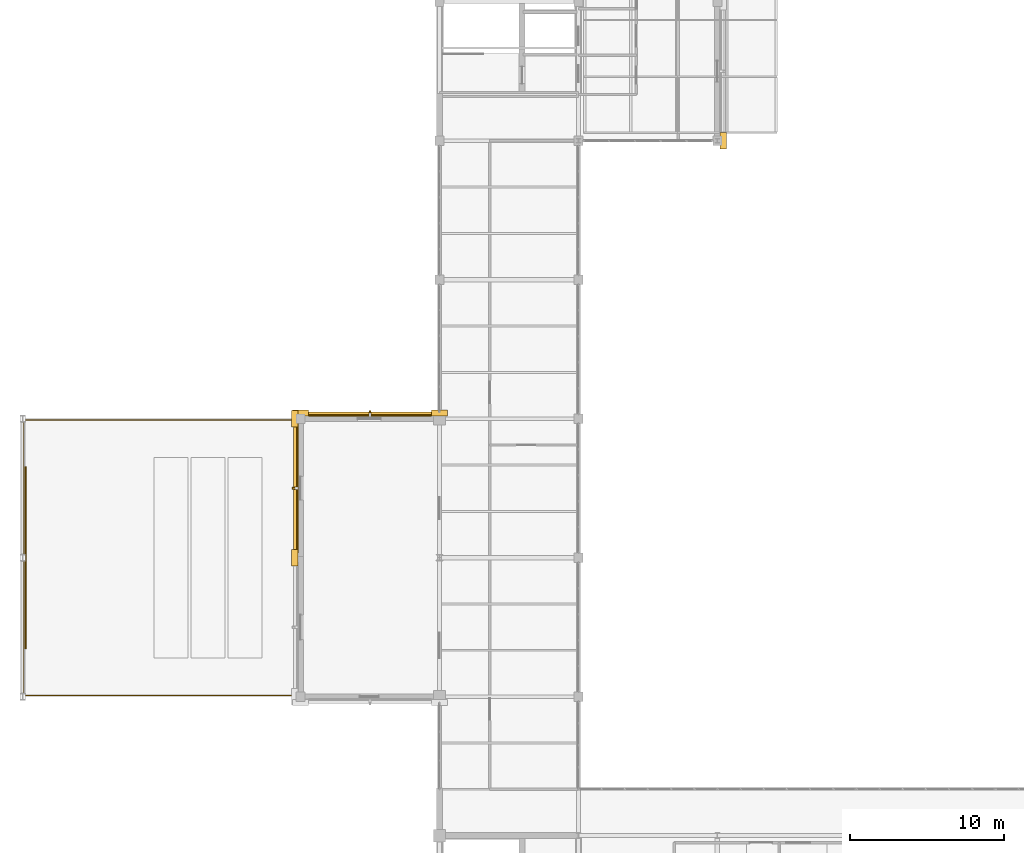
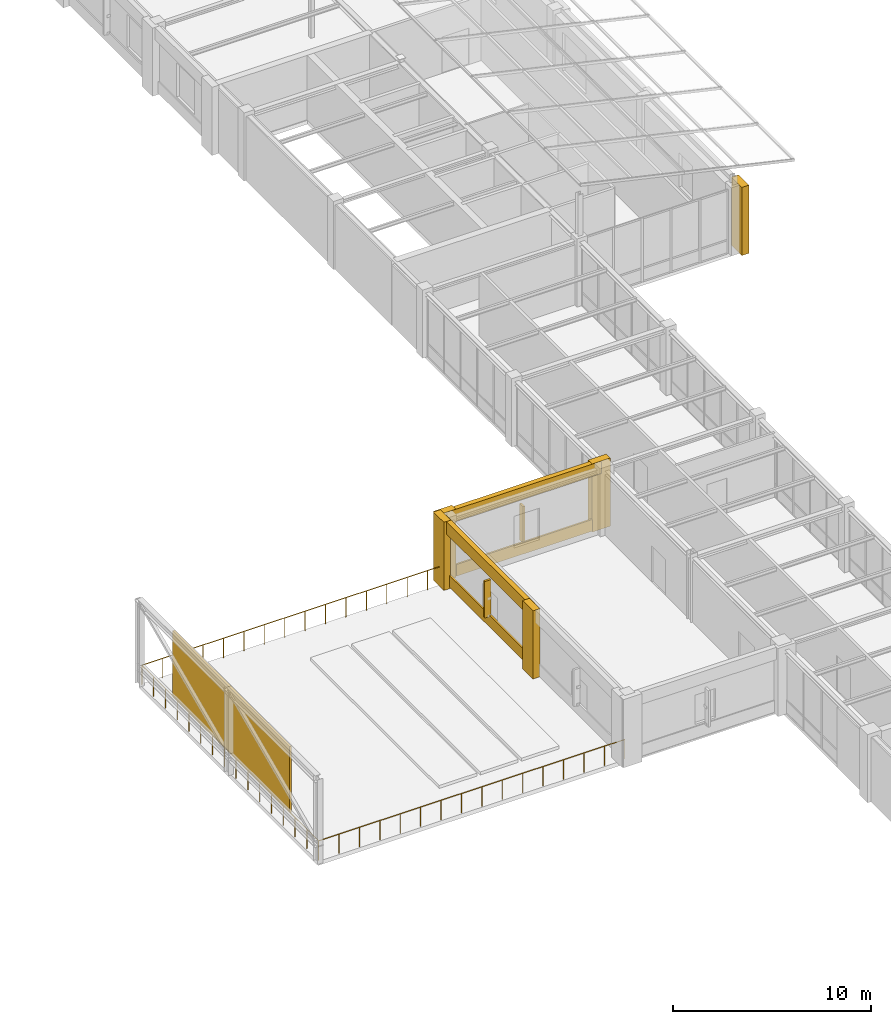
# One storey, part 93 of 97: 10 coverings, 2 shading devices, 1 railing.
"""IFC4 building model written with IfcOpenShell, lengths in metres."""

from ifc_helpers import new_model, si_unit, direction, frame, origin, origin_2d, place, context, subcontext, project, spatial, rectangle, circle, extrude, material, layer, layer_set, type_object, element, save


model = new_model("IFC4")

# Units and contexts
model_context = context("Model", 3, precision=1e-05, world=origin(), true_north=direction((0.0, 1.0)))
body_context = subcontext(model_context, "Body", "Model", "MODEL_VIEW")
ifc_project = project(units=[si_unit("LENGTHUNIT", "METRE"), si_unit("AREAUNIT", "SQUARE_METRE"), si_unit("VOLUMEUNIT", "CUBIC_METRE"), si_unit("PLANEANGLEUNIT", "RADIAN"), si_unit("MASSUNIT", "GRAM", prefix="KILO")], contexts=[model_context])

# Site, building, storey
site_placement = place(None, origin())
site = spatial("IfcSite", under=ifc_project, at=site_placement, CompositionType="ELEMENT")
building_placement = place(site_placement, origin())
building = spatial("IfcBuilding", under=site, at=building_placement, Name="Lykobir Media Centre", CompositionType="ELEMENT")
storey_placement = place(building_placement, frame((0.0, 0.0, 23.39990234375)))
storey = spatial("IfcBuildingStorey", under=building, at=storey_placement, Name="L05", CompositionType="ELEMENT", Elevation=23.39990234375)

# Coverings
ifc_material_1 = material(Name="Glazed Turquoise Terracotta", Category="masonry")
ifc_layer_1 = layer(ifc_material_1, 0.0400390625, Name="Glazed Turquoise Terracotta")
ifc_layer_set_1 = layer_set([ifc_layer_1], Name="Glazed Turquoise Terracotta")
covering_type_1 = type_object("IfcCoveringType", Name="CLD-TERR", PredefinedType="CLADDING", material=ifc_layer_set_1)
covering_1_placement = place(storey_placement, frame((22.5, 45.196044921875, 0.080078125), z_axis=(0.0, 0.0, 1.0), x_axis=(-1.0, 0.0, 0.0)))
element("IfcCovering", 1, at=covering_1_placement, inside=storey, type_object=covering_type_1, Name="Facade spandrel apron 812", PredefinedType="CLADDING", context=body_context, shape_type="SweptSolid", body=[
    extrude(rectangle(XDim=7.929931640625, YDim=0.10009765625, at=origin_2d()), origin(), (0.0, 0.0, 1.0), 0.719970703125),
])
covering_2_placement = place(storey_placement, frame((17.803955078125, 40.5, 0.080078125), z_axis=(0.0, 0.0, 1.0), x_axis=(0.0, -1.0, 0.0)))
element("IfcCovering", 2, at=covering_2_placement, inside=storey, type_object=covering_type_1, Name="Facade spandrel apron 819", PredefinedType="CLADDING", context=body_context, shape_type="SweptSolid", body=[
    extrude(rectangle(XDim=8.389892578125, YDim=0.10009765625, at=origin_2d()), origin(), (0.0, 0.0, 1.0), 0.719970703125),
])
ifc_material_2 = material(Name="Honed Travertine Stone", Category="masonry")
ifc_layer_2 = layer(ifc_material_2, 0.050048828125, Name="Honed Travertine Stone")
ifc_layer_set_2 = layer_set([ifc_layer_2], Name="Honed Travertine Stone")
covering_type_2 = type_object("IfcCoveringType", Name="CLD-TRAV", PredefinedType="CLADDING", material=ifc_layer_set_2)
for number, where, z_axis, x_axis, name in (
    (3, (45.3798828125, 63.0, 0.0), (0.0, 0.0, 1.0), (0.0, 1.0, 0.0), "Travertine column pier 779"),
    (4, (27.0, 45.3798828125, 0.0), (0.0, 0.0, 1.0), (-1.0, 0.0, 0.0), "Travertine column pier 809"),
    (5, (18.0, 45.3798828125, 0.0), (0.0, 0.0, 1.0), (-1.0, 0.0, 0.0), "Travertine column pier 810"),
):
    element("IfcCovering", number, at=place(storey_placement, frame(where, z_axis=z_axis, x_axis=x_axis)), inside=storey, type_object=covering_type_2, Name=name, PredefinedType="CLADDING", context=body_context, shape_type="SweptSolid", body=[
        extrude(rectangle(XDim=1.06005859375, YDim=0.39990234375, at=origin_2d()), origin(), (0.0, 0.0, 1.0), 4.199951171875),
    ])
covering_3_placement = place(storey_placement, frame((22.5, 45.300048828125, 3.43994140625), z_axis=(0.0, 0.0, 1.0), x_axis=(-1.0, 0.0, 0.0)))
element("IfcCovering", 6, at=covering_3_placement, inside=storey, type_object=covering_type_2, Name="Travertine spandrel stringcourse 811", PredefinedType="CLADDING", context=body_context, shape_type="SweptSolid", body=[
    extrude(rectangle(XDim=9.0, YDim=0.280029296875, at=origin_2d()), origin(), (0.0, 0.0, 1.0), 0.760009765625),
])
for number, where, z_axis, x_axis, name in (
    (7, (17.6201171875, 36.0, 0.0), (0.0, 0.0, 1.0), (0.0, -1.0, 0.0), "Travertine column pier 813"),
    (8, (17.6201171875, 45.0, 0.0), (0.0, 0.0, 1.0), (0.0, -1.0, 0.0), "Travertine column pier 817"),
):
    element("IfcCovering", number, at=place(storey_placement, frame(where, z_axis=z_axis, x_axis=x_axis)), inside=storey, type_object=covering_type_2, Name=name, PredefinedType="CLADDING", context=body_context, shape_type="SweptSolid", body=[
        extrude(rectangle(XDim=1.06005859375, YDim=0.39990234375, at=origin_2d()), origin(), (0.0, 0.0, 1.0), 4.199951171875),
    ])
covering_4_placement = place(storey_placement, frame((17.699951171875, 40.5, 3.43994140625), z_axis=(0.0, 0.0, 1.0), x_axis=(0.0, -1.0, 0.0)))
element("IfcCovering", 9, at=covering_4_placement, inside=storey, type_object=covering_type_2, Name="Travertine spandrel stringcourse 818", PredefinedType="CLADDING", context=body_context, shape_type="SweptSolid", body=[
    extrude(rectangle(XDim=9.0, YDim=0.280029296875, at=origin_2d()), origin(), (0.0, 0.0, 1.0), 0.760009765625),
])
covering_5_placement = place(storey_placement, frame((0.18994140625, 36.0, 1.06005859375), z_axis=(0.0, 0.0, 1.0), x_axis=(0.0, 1.0, 0.0)))
element("IfcCovering", 10, at=covering_5_placement, inside=storey, type_object=covering_type_2, Name="Rooftop projection screen surface", PredefinedType="CLADDING", context=body_context, shape_type="SweptSolid", body=[
    extrude(rectangle(XDim=11.800048828125, YDim=0.1201171875, at=origin_2d()), origin(), (0.0, 0.0, 1.0), 4.080078125),
])

# Railing
ifc_material_3 = material(Name="Steel S355", Category="steel")
railing_type = type_object("IfcRailingType", Name="GR-EXT-1220", PredefinedType="BALUSTRADE", material=ifc_material_3)
railing_placement = place(storey_placement, frame((17.919921875, 27.080078125, 0.0)))
element("IfcRailing", 11, at=railing_placement, inside=storey, type_object=railing_type, Name="Rooftop Screen Terrace perimeter balustrade", PredefinedType="BALUSTRADE", context=body_context, shape_type="SweptSolid", body=[
    extrude(circle(Radius=0.02392578125, at=origin_2d()), frame((0.0, 0.0, 1.19580078125), z_axis=(-1.0, 0.0, 0.0), x_axis=(0.0, -1.0, 0.0)), (0.0, 0.0, 1.0), 17.83984375),
    extrude(circle(Radius=0.02392578125, at=origin_2d()), frame((-17.83984375, 0.0, 1.19580078125), z_axis=(0.0, 1.0, 0.0), x_axis=(-1.0, 0.0, 0.0)), (0.0, 0.0, 1.0), 17.83984375),
    extrude(circle(Radius=0.02392578125, at=origin_2d()), frame((-17.83984375, 17.83984375, 1.19580078125), z_axis=(1.0, 0.0, 0.0), x_axis=(0.0, 1.0, 0.0)), (0.0, 0.0, 1.0), 17.83984375),
    extrude(circle(Radius=0.02099609375, at=origin_2d()), origin(), (0.0, 0.0, 1.0), 1.171875),
    extrude(circle(Radius=0.02099609375, at=origin_2d()), frame((-1.189208984375, 0.0, 0.0)), (0.0, 0.0, 1.0), 1.171875),
    extrude(circle(Radius=0.02099609375, at=origin_2d()), frame((-2.378662109375, 0.0, 0.0)), (0.0, 0.0, 1.0), 1.171875),
    extrude(circle(Radius=0.02099609375, at=origin_2d()), frame((-3.56787109375, 0.0, 0.0)), (0.0, 0.0, 1.0), 1.171875),
    extrude(circle(Radius=0.02099609375, at=origin_2d()), frame((-4.75732421875, 0.0, 0.0)), (0.0, 0.0, 1.0), 1.171875),
    extrude(circle(Radius=0.02099609375, at=origin_2d()), frame((-5.946533203125, 0.0, 0.0)), (0.0, 0.0, 1.0), 1.171875),
    extrude(circle(Radius=0.02099609375, at=origin_2d()), frame((-7.135986328125, 0.0, 0.0)), (0.0, 0.0, 1.0), 1.171875),
    extrude(circle(Radius=0.02099609375, at=origin_2d()), frame((-8.3251953125, 0.0, 0.0)), (0.0, 0.0, 1.0), 1.171875),
    extrude(circle(Radius=0.02099609375, at=origin_2d()), frame((-9.5146484375, 0.0, 0.0)), (0.0, 0.0, 1.0), 1.171875),
    extrude(circle(Radius=0.02099609375, at=origin_2d()), frame((-10.703857421875, 0.0, 0.0)), (0.0, 0.0, 1.0), 1.171875),
    extrude(circle(Radius=0.02099609375, at=origin_2d()), frame((-11.893310546875, 0.0, 0.0)), (0.0, 0.0, 1.0), 1.171875),
    extrude(circle(Radius=0.02099609375, at=origin_2d()), frame((-13.08251953125, 0.0, 0.0)), (0.0, 0.0, 1.0), 1.171875),
    extrude(circle(Radius=0.02099609375, at=origin_2d()), frame((-14.27197265625, 0.0, 0.0)), (0.0, 0.0, 1.0), 1.171875),
    extrude(circle(Radius=0.02099609375, at=origin_2d()), frame((-15.461181640625, 0.0, 0.0)), (0.0, 0.0, 1.0), 1.171875),
    extrude(circle(Radius=0.02099609375, at=origin_2d()), frame((-16.650634765625, 0.0, 0.0)), (0.0, 0.0, 1.0), 1.171875),
    extrude(circle(Radius=0.02099609375, at=origin_2d()), frame((-17.83984375, 0.0, 0.0)), (0.0, 0.0, 1.0), 1.171875),
    extrude(circle(Radius=0.02099609375, at=origin_2d()), frame((-17.83984375, 1.189208984375, 0.0)), (0.0, 0.0, 1.0), 1.171875),
    extrude(circle(Radius=0.02099609375, at=origin_2d()), frame((-17.83984375, 2.378662109375, 0.0)), (0.0, 0.0, 1.0), 1.171875),
    extrude(circle(Radius=0.02099609375, at=origin_2d()), frame((-17.83984375, 3.56787109375, 0.0)), (0.0, 0.0, 1.0), 1.171875),
    extrude(circle(Radius=0.02099609375, at=origin_2d()), frame((-17.83984375, 4.75732421875, 0.0)), (0.0, 0.0, 1.0), 1.171875),
    extrude(circle(Radius=0.02099609375, at=origin_2d()), frame((-17.83984375, 5.946533203125, 0.0)), (0.0, 0.0, 1.0), 1.171875),
    extrude(circle(Radius=0.02099609375, at=origin_2d()), frame((-17.83984375, 7.135986328125, 0.0)), (0.0, 0.0, 1.0), 1.171875),
    extrude(circle(Radius=0.02099609375, at=origin_2d()), frame((-17.83984375, 8.3251953125, 0.0)), (0.0, 0.0, 1.0), 1.171875),
    extrude(circle(Radius=0.02099609375, at=origin_2d()), frame((-17.83984375, 9.5146484375, 0.0)), (0.0, 0.0, 1.0), 1.171875),
    extrude(circle(Radius=0.02099609375, at=origin_2d()), frame((-17.83984375, 10.703857421875, 0.0)), (0.0, 0.0, 1.0), 1.171875),
    extrude(circle(Radius=0.02099609375, at=origin_2d()), frame((-17.83984375, 11.893310546875, 0.0)), (0.0, 0.0, 1.0), 1.171875),
    extrude(circle(Radius=0.02099609375, at=origin_2d()), frame((-17.83984375, 13.08251953125, 0.0)), (0.0, 0.0, 1.0), 1.171875),
    extrude(circle(Radius=0.02099609375, at=origin_2d()), frame((-17.83984375, 14.27197265625, 0.0)), (0.0, 0.0, 1.0), 1.171875),
    extrude(circle(Radius=0.02099609375, at=origin_2d()), frame((-17.83984375, 15.461181640625, 0.0)), (0.0, 0.0, 1.0), 1.171875),
    extrude(circle(Radius=0.02099609375, at=origin_2d()), frame((-17.83984375, 16.650634765625, 0.0)), (0.0, 0.0, 1.0), 1.171875),
    extrude(circle(Radius=0.02099609375, at=origin_2d()), frame((-17.83984375, 17.83984375, 0.0)), (0.0, 0.0, 1.0), 1.171875),
    extrude(circle(Radius=0.02099609375, at=origin_2d()), frame((-16.650634765625, 17.83984375, 0.0)), (0.0, 0.0, 1.0), 1.171875),
    extrude(circle(Radius=0.02099609375, at=origin_2d()), frame((-15.461181640625, 17.83984375, 0.0)), (0.0, 0.0, 1.0), 1.171875),
    extrude(circle(Radius=0.02099609375, at=origin_2d()), frame((-14.27197265625, 17.83984375, 0.0)), (0.0, 0.0, 1.0), 1.171875),
    extrude(circle(Radius=0.02099609375, at=origin_2d()), frame((-13.08251953125, 17.83984375, 0.0)), (0.0, 0.0, 1.0), 1.171875),
    extrude(circle(Radius=0.02099609375, at=origin_2d()), frame((-11.893310546875, 17.83984375, 0.0)), (0.0, 0.0, 1.0), 1.171875),
    extrude(circle(Radius=0.02099609375, at=origin_2d()), frame((-10.703857421875, 17.83984375, 0.0)), (0.0, 0.0, 1.0), 1.171875),
    extrude(circle(Radius=0.02099609375, at=origin_2d()), frame((-9.5146484375, 17.83984375, 0.0)), (0.0, 0.0, 1.0), 1.171875),
    extrude(circle(Radius=0.02099609375, at=origin_2d()), frame((-8.3251953125, 17.83984375, 0.0)), (0.0, 0.0, 1.0), 1.171875),
    extrude(circle(Radius=0.02099609375, at=origin_2d()), frame((-7.135986328125, 17.83984375, 0.0)), (0.0, 0.0, 1.0), 1.171875),
    extrude(circle(Radius=0.02099609375, at=origin_2d()), frame((-5.946533203125, 17.83984375, 0.0)), (0.0, 0.0, 1.0), 1.171875),
    extrude(circle(Radius=0.02099609375, at=origin_2d()), frame((-4.75732421875, 17.83984375, 0.0)), (0.0, 0.0, 1.0), 1.171875),
    extrude(circle(Radius=0.02099609375, at=origin_2d()), frame((-3.56787109375, 17.83984375, 0.0)), (0.0, 0.0, 1.0), 1.171875),
    extrude(circle(Radius=0.02099609375, at=origin_2d()), frame((-2.378662109375, 17.83984375, 0.0)), (0.0, 0.0, 1.0), 1.171875),
    extrude(circle(Radius=0.02099609375, at=origin_2d()), frame((-1.189208984375, 17.83984375, 0.0)), (0.0, 0.0, 1.0), 1.171875),
    extrude(circle(Radius=0.02099609375, at=origin_2d()), frame((0.0, 17.83984375, 0.0)), (0.0, 0.0, 1.0), 1.171875),
])

# Shading devices
shading_device_type = type_object("IfcShadingDeviceType", Name="SHD-FIN", PredefinedType="USERDEFINED", material=ifc_material_1)
for number, where, z_axis, x_axis, name in (
    (12, (22.5, 45.35009765625, 0.72509765625), (0.0, 0.0, 1.0), (-1.0, 0.0, 0.0), "Terracotta shading fin 102"),
    (13, (17.64990234375, 40.5, 0.72509765625), (0.0, 0.0, 1.0), (0.0, -1.0, 0.0), "Terracotta shading fin 104"),
):
    element("IfcShadingDevice", number, at=place(storey_placement, frame(where, z_axis=z_axis, x_axis=x_axis)), inside=storey, type_object=shading_device_type, Name=name, ObjectType="FIN", PredefinedType="USERDEFINED", context=body_context, shape_type="SweptSolid", body=[
        extrude(rectangle(XDim=0.1201171875, YDim=0.35009765625, at=origin_2d()), origin(), (0.0, 0.0, 1.0), 2.25),
    ])

save(model, "model.ifc")
